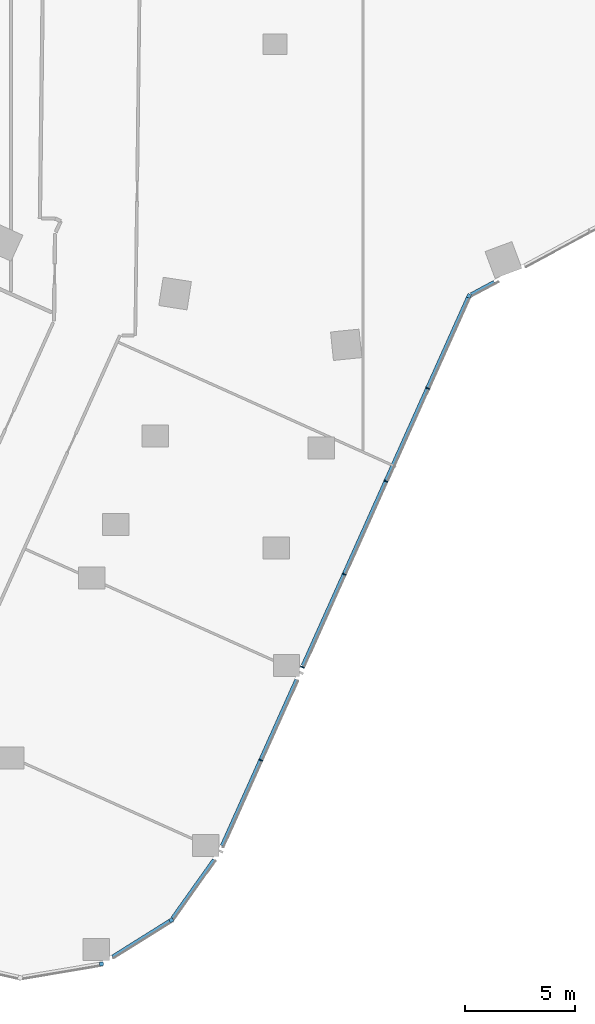
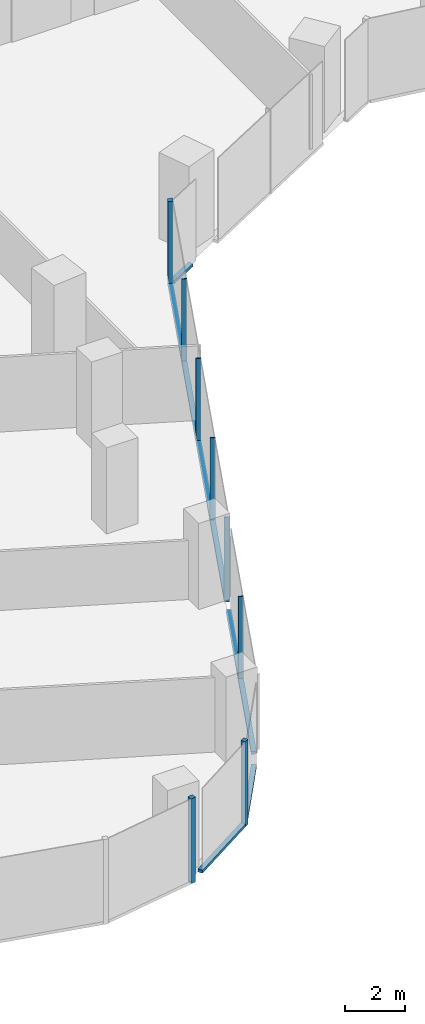
# One storey, part 5 of 34: 13 members, 5 elements without a shape of their own.
"""IFC4 building model written with IfcOpenShell, lengths in metres."""

from ifc_helpers import new_model, si_unit, direction, frame, origin, origin_2d, place, context, subcontext, project, spatial, rectangle, extrude, material, material_profile, profile_set, type_object, element, aggregate, save


model = new_model("IFC4")

# Units and contexts
model_context = context("Model", 3, precision=1e-05, world=origin(), true_north=direction((0.0, 1.0)))
body_context = subcontext(model_context, "Body", "Model", "MODEL_VIEW")
ifc_project = project(units=[si_unit("LENGTHUNIT", "METRE"), si_unit("AREAUNIT", "SQUARE_METRE"), si_unit("VOLUMEUNIT", "CUBIC_METRE"), si_unit("PLANEANGLEUNIT", "RADIAN"), si_unit("MASSUNIT", "GRAM", prefix="KILO")], contexts=[model_context])

# Site, building, storey
site_placement = place(None, origin())
site = spatial("IfcSite", under=ifc_project, at=site_placement, CompositionType="ELEMENT")
building_placement = place(site_placement, origin())
building = spatial("IfcBuilding", under=site, at=building_placement, Name="Orlundy Tower", CompositionType="ELEMENT")
storey_placement = place(building_placement, frame((0.0, 0.0, 134.199951171875)))
storey = spatial("IfcBuildingStorey", under=building, at=storey_placement, Name="L34", CompositionType="ELEMENT", Elevation=134.199951171875)

# Curtain wall, member
ifc_material_1 = material(Name="Aluminium bronze anodised", Category="aluminium")
curtain_wall_type = type_object("IfcCurtainWallType", Name="CW1 wall", PredefinedType="NOTDEFINED", material=ifc_material_1)
curtain_wall_1_placement = place(storey_placement, origin())
curtain_wall_1 = element("IfcCurtainWall", 1, at=curtain_wall_1_placement, inside=storey, type_object=curtain_wall_type, Name="CW1 run 018", PredefinedType="NOTDEFINED")
ifc_material_2 = material(Name="Aluminium bronze anodised", Category="aluminium")
ifc_material_profile_1 = material_profile(ifc_material_2, rectangle(XDim=0.179931640625, YDim=0.179931640625, at=origin_2d()), Name="CW1 corner post 180x180")
ifc_profile_set_1 = profile_set([ifc_material_profile_1], Name="Aluminium bronze anodised")
member_type_1 = type_object("IfcMemberType", Name="CW1 corner post 180x180", PredefinedType="MULLION", material=ifc_profile_set_1)
member_1_placement = place(storey_placement, frame((8.8125, -29.433837890625, -0.39990234375), z_axis=(0.0, 0.0, 1.0), x_axis=(0.912352676112, -0.409405171428, 0.0)))
member_1 = element("IfcMember", 2, at=member_1_placement, type_object=member_type_1, Name="CW1 mullion 51", PredefinedType="MULLION", context=body_context, shape_type="SweptSolid", body=[
    extrude(rectangle(XDim=0.179931640625, YDim=0.179931640625, at=origin_2d()), origin(), (0.0, 0.0, 1.0), 3.449951171875),
])

curtain_wall_2_placement = place(storey_placement, origin())
curtain_wall_2 = element("IfcCurtainWall", 3, at=curtain_wall_2_placement, inside=storey, type_object=curtain_wall_type, Name="CW1 run 020", PredefinedType="NOTDEFINED")
member_2_placement = place(storey_placement, frame((-4.717041015625, -57.8056640625, -0.39990234375), z_axis=(0.0, 0.0, 1.0), x_axis=(0.531138080086, -0.847285276564, 0.0)))
member_2 = element("IfcMember", 4, at=member_2_placement, type_object=member_type_1, Name="CW1 mullion 58", PredefinedType="MULLION", context=body_context, shape_type="SweptSolid", body=[
    extrude(rectangle(XDim=0.179931640625, YDim=0.179931640625, at=origin_2d()), origin(), (0.0, 0.0, 1.0), 3.449951171875),
])

curtain_wall_3_placement = place(storey_placement, origin())
curtain_wall_3 = element("IfcCurtainWall", 5, at=curtain_wall_3_placement, inside=storey, type_object=curtain_wall_type, Name="CW1 run 021", PredefinedType="NOTDEFINED")
member_3_placement = place(storey_placement, frame((-7.888427734375, -59.793701171875, -0.39990234375), z_axis=(0.0, 0.0, 1.0), x_axis=(0.166454797856, -0.986049086137, 0.0)))
member_3 = element("IfcMember", 6, at=member_3_placement, type_object=member_type_1, Name="CW1 mullion 59", PredefinedType="MULLION", context=body_context, shape_type="SweptSolid", body=[
    extrude(rectangle(XDim=0.179931640625, YDim=0.179931640625, at=origin_2d()), origin(), (0.0, 0.0, 1.0), 3.449951171875),
])
aggregate(curtain_wall_3, [member_3])

# Member
ifc_material_3 = material(Name="Aluminium bronze anodised", Category="aluminium")
ifc_material_profile_2 = material_profile(ifc_material_3, rectangle(XDim=0.179931640625, YDim=0.050048828125, at=origin_2d()), Name="CW1 mullion 50x180")
ifc_profile_set_2 = profile_set([ifc_material_profile_2], Name="Aluminium bronze anodised")
member_type_2 = type_object("IfcMemberType", Name="CW1 mullion 50x180", PredefinedType="MULLION", material=ifc_profile_set_2)
member_4_placement = place(storey_placement, frame((6.92919921875, -33.630615234375, -0.39990234375), z_axis=(0.0, 0.0, 1.0), x_axis=(0.912352676112, -0.409405171428, 0.0)))
member_4 = element("IfcMember", 7, at=member_4_placement, type_object=member_type_2, Name="CW1 mullion 52", PredefinedType="MULLION", context=body_context, shape_type="SweptSolid", body=[
    extrude(rectangle(XDim=0.179931640625, YDim=0.050048828125, at=origin_2d()), origin(), (0.0, 0.0, 1.0), 3.449951171875),
])

member_5_placement = place(storey_placement, frame((5.033447265625, -37.85546875, -0.39990234375), z_axis=(0.0, 0.0, 1.0), x_axis=(0.912352676112, -0.409405171428, 0.0)))
member_5 = element("IfcMember", 8, at=member_5_placement, type_object=member_type_2, Name="CW1 mullion 53", PredefinedType="MULLION", context=body_context, shape_type="SweptSolid", body=[
    extrude(rectangle(XDim=0.179931640625, YDim=0.050048828125, at=origin_2d()), origin(), (0.0, 0.0, 1.0), 3.449951171875),
])

member_6_placement = place(storey_placement, frame((3.1376953125, -42.080322265625, -0.39990234375), z_axis=(0.0, 0.0, 1.0), x_axis=(0.912352676112, -0.409405171428, 0.0)))
member_6 = element("IfcMember", 9, at=member_6_placement, type_object=member_type_2, Name="CW1 mullion 54", PredefinedType="MULLION", context=body_context, shape_type="SweptSolid", body=[
    extrude(rectangle(XDim=0.179931640625, YDim=0.050048828125, at=origin_2d()), origin(), (0.0, 0.0, 1.0), 3.449951171875),
])

member_7_placement = place(storey_placement, frame((1.24169921875, -46.30517578125, -0.39990234375), z_axis=(0.0, 0.0, 1.0), x_axis=(0.912352676112, -0.409405171428, 0.0)))
member_7 = element("IfcMember", 10, at=member_7_placement, type_object=member_type_2, Name="CW1 mullion 55", PredefinedType="MULLION", context=body_context, shape_type="SweptSolid", body=[
    extrude(rectangle(XDim=0.179931640625, YDim=0.050048828125, at=origin_2d()), origin(), (0.0, 0.0, 1.0), 3.449951171875),
])

member_8_placement = place(storey_placement, frame((-0.654052734375, -50.530029296875, -0.39990234375), z_axis=(0.0, 0.0, 1.0), x_axis=(0.912352676112, -0.409405171428, 0.0)))
member_8 = element("IfcMember", 11, at=member_8_placement, type_object=member_type_2, Name="CW1 mullion 56", PredefinedType="MULLION", context=body_context, shape_type="SweptSolid", body=[
    extrude(rectangle(XDim=0.179931640625, YDim=0.050048828125, at=origin_2d()), origin(), (0.0, 0.0, 1.0), 3.449951171875),
])

# Curtain wall, member
curtain_wall_4_placement = place(storey_placement, origin())
curtain_wall_4 = element("IfcCurtainWall", 12, at=curtain_wall_4_placement, inside=storey, type_object=curtain_wall_type, Name="CW1 run 017", PredefinedType="NOTDEFINED")
ifc_material_4 = material(Name="Aluminium bronze anodised", Category="aluminium")
ifc_material_profile_3 = material_profile(ifc_material_4, rectangle(XDim=0.179931640625, YDim=0.1201171875, at=origin_2d()), Name="CW1 transom 180x120")
ifc_profile_set_3 = profile_set([ifc_material_profile_3], Name="Aluminium bronze anodised")
member_type_3 = type_object("IfcMemberType", Name="CW1 transom 180x120", PredefinedType="USERDEFINED", material=ifc_profile_set_3)
member_9_placement = place(storey_placement, frame((9.961669921875, -28.81396484375, -0.33984375), z_axis=(-0.880155276698, -0.474685884455, 0.0), x_axis=(0.474685884455, -0.880155276698, 0.0)))
member_9 = element("IfcMember", 13, at=member_9_placement, type_object=member_type_3, Name="CW1 transom", ObjectType="TRANSOM", PredefinedType="USERDEFINED", context=body_context, shape_type="SweptSolid", body=[
    extrude(rectangle(XDim=0.179931640625, YDim=0.1201171875, at=origin_2d()), origin(), (0.0, 0.0, 1.0), 1.192138671875),
])
aggregate(curtain_wall_4, [member_9])

# Member
member_10_placement = place(storey_placement, frame((8.77587890625, -29.515869140625, -0.33984375), z_axis=(-0.409407216328, -0.912351758489, 0.0), x_axis=(0.912351758489, -0.409407216328, 0.0)))
member_10 = element("IfcMember", 14, at=member_10_placement, type_object=member_type_3, Name="CW1 transom", ObjectType="TRANSOM", PredefinedType="USERDEFINED", context=body_context, shape_type="SweptSolid", body=[
    extrude(rectangle(XDim=0.179931640625, YDim=0.1201171875, at=origin_2d()), origin(), (0.0, 0.0, 1.0), 18.3359375),
])

member_11_placement = place(storey_placement, frame((0.9833984375, -46.881103515625, -0.33984375), z_axis=(-0.409420400419, -0.912345842168, 0.0), x_axis=(0.912345842168, -0.409420400419, 0.0)))
member_11 = element("IfcMember", 15, at=member_11_placement, type_object=member_type_3, Name="CW1 transom", ObjectType="TRANSOM", PredefinedType="USERDEFINED", context=body_context, shape_type="SweptSolid", body=[
    extrude(rectangle(XDim=0.179931640625, YDim=0.1201171875, at=origin_2d()), origin(), (0.0, 0.0, 1.0), 8.26904296875),
])

aggregate(curtain_wall_1, [member_1, member_4, member_5, member_6, member_7, member_8, member_10, member_11])

# Curtain wall, member
curtain_wall_5_placement = place(storey_placement, origin())
curtain_wall_5 = element("IfcCurtainWall", 16, at=curtain_wall_5_placement, inside=storey, type_object=curtain_wall_type, Name="CW1 run 019", PredefinedType="NOTDEFINED")
member_12_placement = place(storey_placement, frame((-2.76611328125, -55.06201171875, -0.33984375), z_axis=(-0.579506151389, -0.814967864705, 0.0), x_axis=(0.814967864705, -0.579506151389, 0.0)))
member_12 = element("IfcMember", 17, at=member_12_placement, type_object=member_type_3, Name="CW1 transom", ObjectType="TRANSOM", PredefinedType="USERDEFINED", context=body_context, shape_type="SweptSolid", body=[
    extrude(rectangle(XDim=0.179931640625, YDim=0.1201171875, at=origin_2d()), origin(), (0.0, 0.0, 1.0), 3.269287109375),
])
aggregate(curtain_wall_5, [member_12])

# Member
member_13_placement = place(storey_placement, frame((-4.793212890625, -57.853515625, -0.33984375), z_axis=(-0.847297814047, -0.531118079442, 0.0), x_axis=(0.531118079442, -0.847297814047, 0.0)))
member_13 = element("IfcMember", 18, at=member_13_placement, type_object=member_type_3, Name="CW1 transom", ObjectType="TRANSOM", PredefinedType="USERDEFINED", context=body_context, shape_type="SweptSolid", body=[
    extrude(rectangle(XDim=0.179931640625, YDim=0.1201171875, at=origin_2d()), origin(), (0.0, 0.0, 1.0), 3.057861328125),
])

aggregate(curtain_wall_2, [member_2, member_13])

save(model, "model.ifc")
